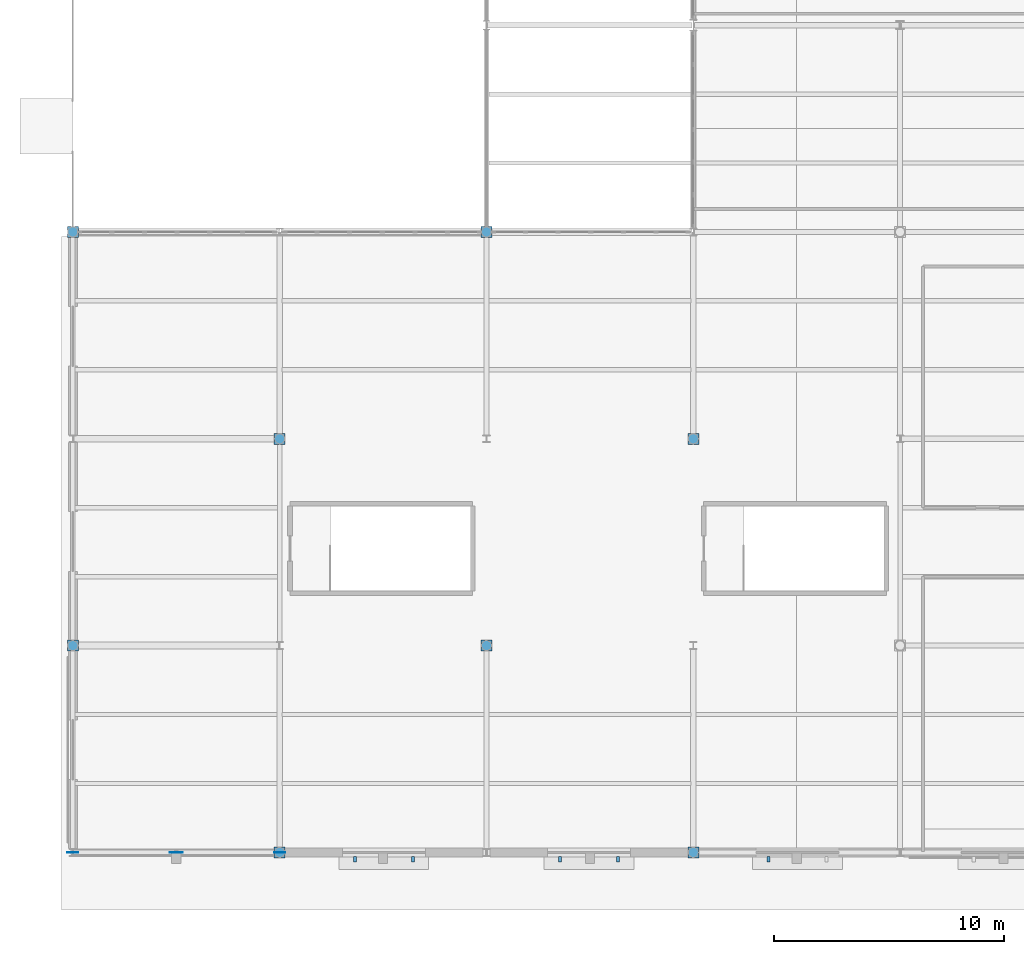
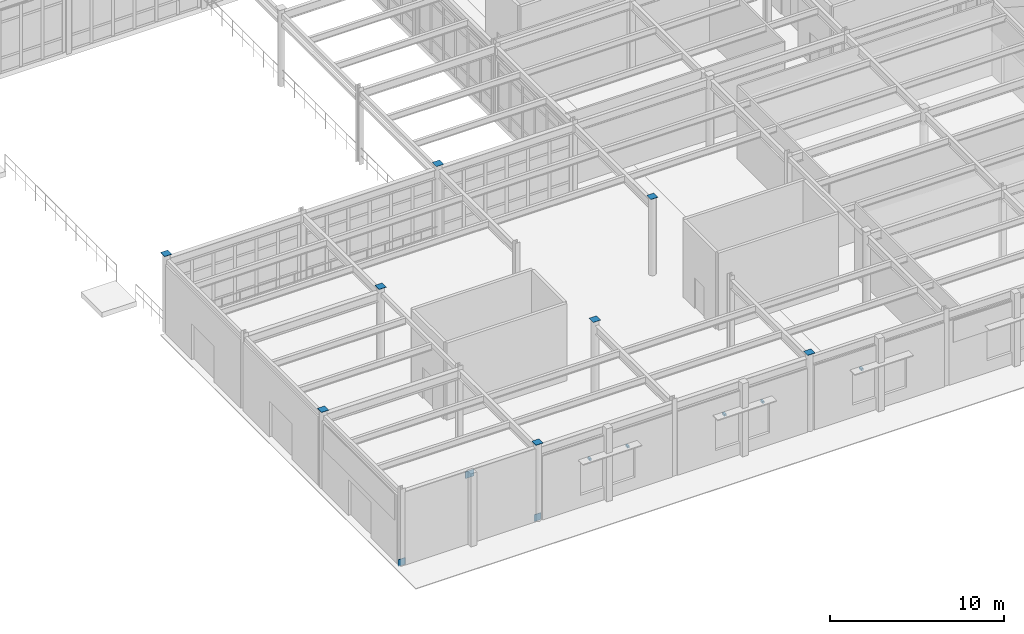
# One storey, part 60 of 79: 16 discrete accessories.
"""IFC4 building model written with IfcOpenShell, lengths in metres."""

from ifc_helpers import new_model, si_unit, direction, frame, origin, origin_2d, place, context, subcontext, project, spatial, rectangle, extrude, material, type_object, element, save


model = new_model("IFC4")

# Units and contexts
model_context = context("Model", 3, precision=1e-05, world=origin(), true_north=direction((0.0, 1.0)))
body_context = subcontext(model_context, "Body", "Model", "MODEL_VIEW")
ifc_project = project(units=[si_unit("LENGTHUNIT", "METRE"), si_unit("AREAUNIT", "SQUARE_METRE"), si_unit("VOLUMEUNIT", "CUBIC_METRE"), si_unit("PLANEANGLEUNIT", "RADIAN"), si_unit("MASSUNIT", "GRAM", prefix="KILO")], contexts=[model_context])

# Site, building, storey
site_placement = place(None, origin())
site = spatial("IfcSite", under=ifc_project, at=site_placement, CompositionType="ELEMENT")
building_placement = place(site_placement, origin())
building = spatial("IfcBuilding", under=site, at=building_placement, Name="Glasvene Arena", CompositionType="ELEMENT")
storey_placement = place(building_placement, origin())
storey = spatial("IfcBuildingStorey", under=building, at=storey_placement, Name="L00", CompositionType="ELEMENT", Elevation=0.0)

# Discrete accessories
ifc_material_1 = material(Name="Steel S355J2", Category="steel")
discrete_accessory_type_1 = type_object("IfcDiscreteAccessoryType", Name="ACC-BRACE-GP20", PredefinedType="BRACKET", material=ifc_material_1)
for number, where, z_axis, x_axis, name in (
    (1, (0.0, 0.0, -0.070068359375), (0.0, 0.0, 1.0), (1.0, 0.0, 0.0), "Chevron brace base gusset plate L00-037-A"),
    (2, (9.0, 0.0, -0.070068359375), (0.0, 0.0, 1.0), (1.0, 0.0, 0.0), "Chevron brace base gusset plate L00-038-B"),
):
    element("IfcDiscreteAccessory", number, at=place(storey_placement, frame(where, z_axis=z_axis, x_axis=x_axis)), inside=storey, type_object=discrete_accessory_type_1, Name=name, PredefinedType="BRACKET", context=body_context, shape_type="SweptSolid", body=[
        extrude(rectangle(XDim=0.47998046875, YDim=0.02001953125, at=origin_2d()), origin(), (0.0, 0.0, 1.0), 0.47998046875),
    ])
discrete_accessory_placement = place(storey_placement, frame((4.5, 0.0, 4.530029296875), z_axis=(0.0, 0.0, 1.0), x_axis=(1.0, 0.0, 0.0)))
element("IfcDiscreteAccessory", 3, at=discrete_accessory_placement, inside=storey, type_object=discrete_accessory_type_1, Name="Chevron brace apex gusset plate L00-038", PredefinedType="BRACKET", context=body_context, shape_type="SweptSolid", body=[
    extrude(rectangle(XDim=0.56005859375, YDim=0.02001953125, at=origin_2d()), origin(), (0.0, 0.0, 1.0), 0.47998046875),
])
discrete_accessory_type_2 = type_object("IfcDiscreteAccessoryType", Name="ACC-CAP-CHS420", PredefinedType="USERDEFINED", material=ifc_material_1)
for number, where, z_axis, x_axis, name in (
    (4, (0.0, 9.0, 5.39794921875), (0.0, 0.0, 1.0), (1.0, 0.0, 0.0), "Hollow column top cap plate 1-2 L00"),
    (5, (0.0, 27.0, 5.39794921875), (0.0, 0.0, 1.0), (1.0, 0.0, 0.0), "Hollow column top cap plate 1-4 L00"),
    (6, (9.0, 0.0, 5.39794921875), (0.0, 0.0, 1.0), (1.0, 0.0, 0.0), "Hollow column top cap plate 2-1 L00"),
    (7, (9.0, 18.0, 5.39794921875), (0.0, 0.0, 1.0), (1.0, 0.0, 0.0), "Hollow column top cap plate 2-3 L00"),
    (8, (18.0, 9.0, 5.39794921875), (0.0, 0.0, 1.0), (1.0, 0.0, 0.0), "Hollow column top cap plate 3-2 L00"),
    (9, (18.0, 27.0, 5.39794921875), (0.0, 0.0, 1.0), (1.0, 0.0, 0.0), "Hollow column top cap plate 3-4 L00"),
    (10, (27.0, 0.0, 5.39794921875), (0.0, 0.0, 1.0), (1.0, 0.0, 0.0), "Hollow column top cap plate 4-1 L00"),
    (11, (27.0, 18.0, 5.39794921875), (0.0, 0.0, 1.0), (1.0, 0.0, 0.0), "Hollow column top cap plate 4-3 L00"),
):
    element("IfcDiscreteAccessory", number, at=place(storey_placement, frame(where, z_axis=z_axis, x_axis=x_axis)), inside=storey, type_object=discrete_accessory_type_2, Name=name, ObjectType="CAP PLATE", PredefinedType="USERDEFINED", context=body_context, shape_type="SweptSolid", body=[
        extrude(rectangle(XDim=0.47998046875, YDim=0.47998046875, at=origin_2d()), origin(), (0.0, 0.0, 1.0), 0.02001953125),
    ])
ifc_material_2 = material(Name="Warm bronze architectural aluminium", Category="aluminium")
discrete_accessory_type_3 = type_object("IfcDiscreteAccessoryType", Name="ACC-FIN-BRK", PredefinedType="BRACKET", material=ifc_material_2)
for number, where, z_axis, x_axis, name in (
    (12, (30.27685546875, -0.300048828125, 3.22021484375), (0.0, 0.0, 1.0), (-1.0, 0.0, 0.0), "Brise-soleil wall bracket BK-012"),
    (13, (23.72314453125, -0.300048828125, 3.22021484375), (0.0, 0.0, 1.0), (-1.0, 0.0, 0.0), "Brise-soleil wall bracket BK-013"),
    (14, (21.203125, -0.300048828125, 3.22021484375), (0.0, 0.0, 1.0), (-1.0, 0.0, 0.0), "Brise-soleil wall bracket BK-013"),
    (15, (14.796875, -0.300048828125, 3.22021484375), (0.0, 0.0, 1.0), (-1.0, 0.0, 0.0), "Brise-soleil wall bracket BK-014"),
    (16, (12.27685546875, -0.300048828125, 3.22021484375), (0.0, 0.0, 1.0), (-1.0, 0.0, 0.0), "Brise-soleil wall bracket BK-014"),
):
    element("IfcDiscreteAccessory", number, at=place(storey_placement, frame(where, z_axis=z_axis, x_axis=x_axis)), inside=storey, type_object=discrete_accessory_type_3, Name=name, PredefinedType="BRACKET", context=body_context, shape_type="SweptSolid", body=[
        extrude(rectangle(XDim=0.139892578125, YDim=0.239990234375, at=origin_2d()), origin(), (0.0, 0.0, 1.0), 0.139892578125),
    ])

save(model, "model.ifc")
